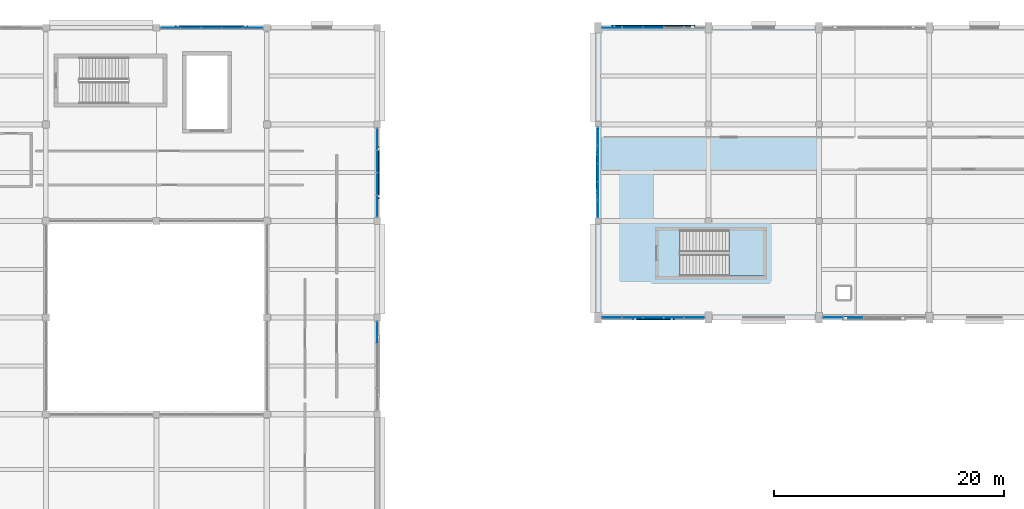
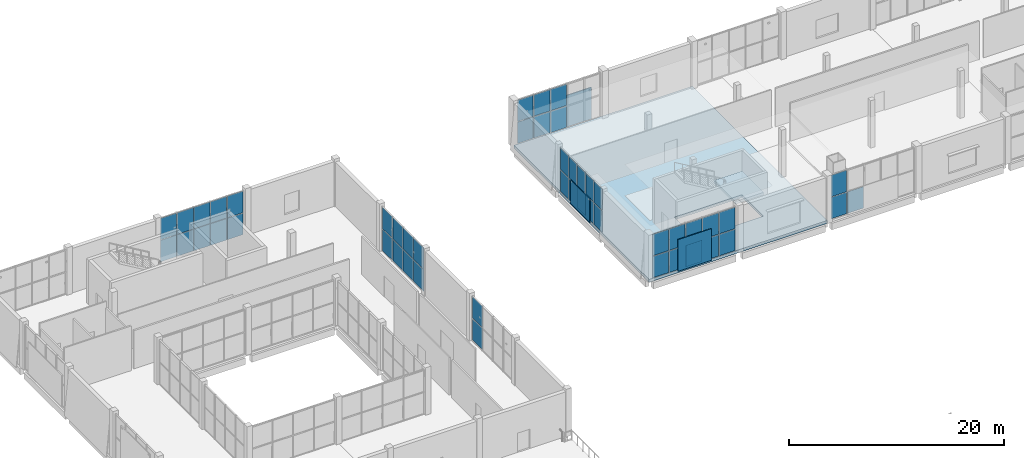
# One storey, part 48 of 83: 54 plates, 2 slabs, 8 elements without a shape of their own.
"""IFC4 building model written with IfcOpenShell, lengths in metres."""

from ifc_helpers import new_model, si_unit, direction, frame, origin, origin_2d, place, context, subcontext, project, spatial, polyline, rectangle, outline, extrude, material, layer, layer_set, type_object, element, aggregate, save


model = new_model("IFC4")

# Units and contexts
model_context = context("Model", 3, precision=1e-05, world=origin(), true_north=direction((0.0, 1.0)))
body_context = subcontext(model_context, "Body", "Model", "MODEL_VIEW")
ifc_project = project(units=[si_unit("LENGTHUNIT", "METRE"), si_unit("AREAUNIT", "SQUARE_METRE"), si_unit("VOLUMEUNIT", "CUBIC_METRE"), si_unit("PLANEANGLEUNIT", "RADIAN"), si_unit("MASSUNIT", "GRAM", prefix="KILO")], contexts=[model_context])

# Site, building, storey
site_placement = place(None, origin())
site = spatial("IfcSite", under=ifc_project, at=site_placement, CompositionType="ELEMENT")
building_placement = place(site_placement, origin())
building = spatial("IfcBuilding", under=site, at=building_placement, Name="Shalvenor Court Art Gallery", CompositionType="ELEMENT")
storey_placement = place(building_placement, frame((0.0, 0.0, 6.0)))
storey = spatial("IfcBuildingStorey", under=building, at=storey_placement, Name="L01", CompositionType="ELEMENT", Elevation=6.0)

# Curtain wall, plates
ifc_material_1 = material(Name="Anodised aluminium and low-iron glass curtain wall", Category="aluminium")
curtain_wall_type_1 = type_object("IfcCurtainWallType", Name="CW-5x2-90-51-111", PredefinedType="USERDEFINED", material=ifc_material_1)
curtain_wall_1_placement = place(storey_placement, origin())
curtain_wall_1 = element("IfcCurtainWall", 1, at=curtain_wall_1_placement, inside=storey, type_object=curtain_wall_type_1, Name="L01 V5 Curtain Wall CW-L01-168", ObjectType="CURTAIN WALL", PredefinedType="USERDEFINED")
ifc_material_2 = material(Name="Low-iron UV-laminated double glazing IGU", Category="glass")
ifc_layer_1 = layer(ifc_material_2, 0.028076171875, Name="Low-iron UV-laminated double glazing IGU")
ifc_layer_set_1 = layer_set([ifc_layer_1], Name="Low-iron UV-laminated double glazing IGU")
plate_type_1 = type_object("IfcPlateType", Name="CWP-01", PredefinedType="CURTAIN_PANEL", material=ifc_layer_set_1)
plate_1_placement = place(storey_placement, frame((20.416259765625, 122.39990234375, 0.06005859375), z_axis=(0.0, 0.0, 1.0), x_axis=(1.0, 0.0, 0.0)))
plate_1 = element("IfcPlate", 2, at=plate_1_placement, type_object=plate_type_1, Name="CW-5x2-90-51-111 panel 1.1", PredefinedType="CURTAIN_PANEL", context=body_context, shape_type="SweptSolid", body=[
    extrude(rectangle(XDim=1.702392578125, YDim=0.028076171875, at=origin_2d()), origin(), (0.0, 0.0, 1.0), 2.449951171875),
])
plate_2_placement = place(storey_placement, frame((20.416259765625, 122.39990234375, 2.56982421875), z_axis=(0.0, 0.0, 1.0), x_axis=(1.0, 0.0, 0.0)))
plate_2 = element("IfcPlate", 3, at=plate_2_placement, type_object=plate_type_1, Name="CW-5x2-90-51-111 panel 1.2", PredefinedType="CURTAIN_PANEL", context=body_context, shape_type="SweptSolid", body=[
    extrude(rectangle(XDim=1.702392578125, YDim=0.028076171875, at=origin_2d()), origin(), (0.0, 0.0, 1.0), 2.449951171875),
])
plate_3_placement = place(storey_placement, frame((22.199951171875, 122.39990234375, 0.06005859375), z_axis=(0.0, 0.0, 1.0), x_axis=(1.0, 0.0, 0.0)))
plate_3 = element("IfcPlate", 4, at=plate_3_placement, type_object=plate_type_1, Name="CW-5x2-90-51-111 panel 2.1", PredefinedType="CURTAIN_PANEL", context=body_context, shape_type="SweptSolid", body=[
    extrude(rectangle(XDim=1.735107421875, YDim=0.028076171875, at=origin_2d()), origin(), (0.0, 0.0, 1.0), 2.449951171875),
])
plate_4_placement = place(storey_placement, frame((22.199951171875, 122.39990234375, 2.56982421875), z_axis=(0.0, 0.0, 1.0), x_axis=(1.0, 0.0, 0.0)))
plate_4 = element("IfcPlate", 5, at=plate_4_placement, type_object=plate_type_1, Name="CW-5x2-90-51-111 panel 2.2", PredefinedType="CURTAIN_PANEL", context=body_context, shape_type="SweptSolid", body=[
    extrude(rectangle(XDim=1.735107421875, YDim=0.028076171875, at=origin_2d()), origin(), (0.0, 0.0, 1.0), 2.449951171875),
])
plate_5_placement = place(storey_placement, frame((24.0, 122.39990234375, 0.06005859375), z_axis=(0.0, 0.0, 1.0), x_axis=(1.0, 0.0, 0.0)))
plate_5 = element("IfcPlate", 6, at=plate_5_placement, type_object=plate_type_1, Name="CW-5x2-90-51-111 panel 3.1", PredefinedType="CURTAIN_PANEL", context=body_context, shape_type="SweptSolid", body=[
    extrude(rectangle(XDim=1.735107421875, YDim=0.028076171875, at=origin_2d()), origin(), (0.0, 0.0, 1.0), 2.449951171875),
])
plate_6_placement = place(storey_placement, frame((24.0, 122.39990234375, 2.56982421875), z_axis=(0.0, 0.0, 1.0), x_axis=(1.0, 0.0, 0.0)))
plate_6 = element("IfcPlate", 7, at=plate_6_placement, type_object=plate_type_1, Name="CW-5x2-90-51-111 panel 3.2", PredefinedType="CURTAIN_PANEL", context=body_context, shape_type="SweptSolid", body=[
    extrude(rectangle(XDim=1.735107421875, YDim=0.028076171875, at=origin_2d()), origin(), (0.0, 0.0, 1.0), 2.449951171875),
])
plate_7_placement = place(storey_placement, frame((25.800048828125, 122.39990234375, 0.06005859375), z_axis=(0.0, 0.0, 1.0), x_axis=(1.0, 0.0, 0.0)))
plate_7 = element("IfcPlate", 8, at=plate_7_placement, type_object=plate_type_1, Name="CW-5x2-90-51-111 panel 4.1", PredefinedType="CURTAIN_PANEL", context=body_context, shape_type="SweptSolid", body=[
    extrude(rectangle(XDim=1.735107421875, YDim=0.028076171875, at=origin_2d()), origin(), (0.0, 0.0, 1.0), 2.449951171875),
])
plate_8_placement = place(storey_placement, frame((25.800048828125, 122.39990234375, 2.56982421875), z_axis=(0.0, 0.0, 1.0), x_axis=(1.0, 0.0, 0.0)))
plate_8 = element("IfcPlate", 9, at=plate_8_placement, type_object=plate_type_1, Name="CW-5x2-90-51-111 panel 4.2", PredefinedType="CURTAIN_PANEL", context=body_context, shape_type="SweptSolid", body=[
    extrude(rectangle(XDim=1.735107421875, YDim=0.028076171875, at=origin_2d()), origin(), (0.0, 0.0, 1.0), 2.449951171875),
])
plate_9_placement = place(storey_placement, frame((27.583740234375, 122.39990234375, 0.06005859375), z_axis=(0.0, 0.0, 1.0), x_axis=(1.0, 0.0, 0.0)))
plate_9 = element("IfcPlate", 10, at=plate_9_placement, type_object=plate_type_1, Name="CW-5x2-90-51-111 panel 5.1", PredefinedType="CURTAIN_PANEL", context=body_context, shape_type="SweptSolid", body=[
    extrude(rectangle(XDim=1.702392578125, YDim=0.028076171875, at=origin_2d()), origin(), (0.0, 0.0, 1.0), 2.449951171875),
])
plate_10_placement = place(storey_placement, frame((27.583740234375, 122.39990234375, 2.56982421875), z_axis=(0.0, 0.0, 1.0), x_axis=(1.0, 0.0, 0.0)))
plate_10 = element("IfcPlate", 11, at=plate_10_placement, type_object=plate_type_1, Name="CW-5x2-90-51-111 panel 5.2", PredefinedType="CURTAIN_PANEL", context=body_context, shape_type="SweptSolid", body=[
    extrude(rectangle(XDim=1.702392578125, YDim=0.028076171875, at=origin_2d()), origin(), (0.0, 0.0, 1.0), 2.449951171875),
])
aggregate(curtain_wall_1, [plate_1, plate_2, plate_3, plate_4, plate_5, plate_6, plate_7, plate_8, plate_9, plate_10])

ifc_material_3 = material(Name="Anodised aluminium and low-iron glass curtain wall", Category="aluminium")
curtain_wall_type_2 = type_object("IfcCurtainWallType", Name="CW-4x2-78-51-221", PredefinedType="USERDEFINED", material=ifc_material_3)
curtain_wall_2_placement = place(storey_placement, origin())
curtain_wall_2 = element("IfcCurtainWall", 12, at=curtain_wall_2_placement, inside=storey, type_object=curtain_wall_type_2, Name="L01 V5 Curtain Wall CW-L01-169", ObjectType="CURTAIN WALL", PredefinedType="USERDEFINED")
plate_11_placement = place(storey_placement, frame((38.39990234375, 112.70751953125, 0.06494140625), z_axis=(0.0, 0.0, 1.0), x_axis=(0.0, -1.0, 0.0)))
plate_11 = element("IfcPlate", 13, at=plate_11_placement, type_object=plate_type_1, Name="CW-4x2-78-51-221 panel 1.1", PredefinedType="CURTAIN_PANEL", context=body_context, shape_type="SweptSolid", body=[
    extrude(rectangle(XDim=1.844970703125, YDim=0.028076171875, at=origin_2d()), origin(), (0.0, 0.0, 1.0), 2.4423828125),
])
plate_12_placement = place(storey_placement, frame((38.39990234375, 112.70751953125, 2.572509765625), z_axis=(0.0, 0.0, 1.0), x_axis=(0.0, -1.0, 0.0)))
plate_12 = element("IfcPlate", 14, at=plate_12_placement, type_object=plate_type_1, Name="CW-4x2-78-51-221 panel 1.2", PredefinedType="CURTAIN_PANEL", context=body_context, shape_type="SweptSolid", body=[
    extrude(rectangle(XDim=1.844970703125, YDim=0.028076171875, at=origin_2d()), origin(), (0.0, 0.0, 1.0), 2.4423828125),
])
plate_13_placement = place(storey_placement, frame((38.39990234375, 110.77490234375, 0.06494140625), z_axis=(0.0, 0.0, 1.0), x_axis=(0.0, -1.0, 0.0)))
plate_13 = element("IfcPlate", 15, at=plate_13_placement, type_object=plate_type_1, Name="CW-4x2-78-51-221 panel 2.1", PredefinedType="CURTAIN_PANEL", context=body_context, shape_type="SweptSolid", body=[
    extrude(rectangle(XDim=1.8798828125, YDim=0.028076171875, at=origin_2d()), origin(), (0.0, 0.0, 1.0), 2.4423828125),
])
plate_14_placement = place(storey_placement, frame((38.39990234375, 110.77490234375, 2.572509765625), z_axis=(0.0, 0.0, 1.0), x_axis=(0.0, -1.0, 0.0)))
plate_14 = element("IfcPlate", 16, at=plate_14_placement, type_object=plate_type_1, Name="CW-4x2-78-51-221 panel 2.2", PredefinedType="CURTAIN_PANEL", context=body_context, shape_type="SweptSolid", body=[
    extrude(rectangle(XDim=1.8798828125, YDim=0.028076171875, at=origin_2d()), origin(), (0.0, 0.0, 1.0), 2.4423828125),
])
plate_15_placement = place(storey_placement, frame((38.39990234375, 108.824951171875, 0.06494140625), z_axis=(0.0, 0.0, 1.0), x_axis=(0.0, -1.0, 0.0)))
plate_15 = element("IfcPlate", 17, at=plate_15_placement, type_object=plate_type_1, Name="CW-4x2-78-51-221 panel 3.1", PredefinedType="CURTAIN_PANEL", context=body_context, shape_type="SweptSolid", body=[
    extrude(rectangle(XDim=1.8798828125, YDim=0.028076171875, at=origin_2d()), origin(), (0.0, 0.0, 1.0), 2.4423828125),
])
plate_16_placement = place(storey_placement, frame((38.39990234375, 108.824951171875, 2.572509765625), z_axis=(0.0, 0.0, 1.0), x_axis=(0.0, -1.0, 0.0)))
plate_16 = element("IfcPlate", 18, at=plate_16_placement, type_object=plate_type_1, Name="CW-4x2-78-51-221 panel 3.2", PredefinedType="CURTAIN_PANEL", context=body_context, shape_type="SweptSolid", body=[
    extrude(rectangle(XDim=1.8798828125, YDim=0.028076171875, at=origin_2d()), origin(), (0.0, 0.0, 1.0), 2.4423828125),
])
plate_17_placement = place(storey_placement, frame((38.39990234375, 106.892578125, 0.06494140625), z_axis=(0.0, 0.0, 1.0), x_axis=(0.0, -1.0, 0.0)))
plate_17 = element("IfcPlate", 19, at=plate_17_placement, type_object=plate_type_1, Name="CW-4x2-78-51-221 panel 4.1", PredefinedType="CURTAIN_PANEL", context=body_context, shape_type="SweptSolid", body=[
    extrude(rectangle(XDim=1.844970703125, YDim=0.028076171875, at=origin_2d()), origin(), (0.0, 0.0, 1.0), 2.4423828125),
])
plate_18_placement = place(storey_placement, frame((38.39990234375, 106.892578125, 2.572509765625), z_axis=(0.0, 0.0, 1.0), x_axis=(0.0, -1.0, 0.0)))
plate_18 = element("IfcPlate", 20, at=plate_18_placement, type_object=plate_type_1, Name="CW-4x2-78-51-221 panel 4.2", PredefinedType="CURTAIN_PANEL", context=body_context, shape_type="SweptSolid", body=[
    extrude(rectangle(XDim=1.844970703125, YDim=0.028076171875, at=origin_2d()), origin(), (0.0, 0.0, 1.0), 2.4423828125),
])
aggregate(curtain_wall_2, [plate_11, plate_12, plate_13, plate_14, plate_15, plate_16, plate_17, plate_18])

ifc_material_4 = material(Name="Anodised aluminium and low-iron glass curtain wall", Category="aluminium")
curtain_wall_type_3 = type_object("IfcCurtainWallType", Name="CW-4x2-78-51-441", PredefinedType="USERDEFINED", material=ifc_material_4)
curtain_wall_3_placement = place(storey_placement, origin())
curtain_wall_3 = element("IfcCurtainWall", 21, at=curtain_wall_3_placement, inside=storey, type_object=curtain_wall_type_3, Name="L01 V5 Curtain Wall CW-L01-170", ObjectType="CURTAIN WALL", PredefinedType="USERDEFINED")
plate_19_placement = place(storey_placement, frame((38.39990234375, 95.90625, 0.070068359375), z_axis=(0.0, 0.0, 1.0), x_axis=(0.0, -1.0, 0.0)))
plate_19 = element("IfcPlate", 22, at=plate_19_placement, type_object=plate_type_1, Name="CW-4x2-78-51-441 panel 1.1", PredefinedType="CURTAIN_PANEL", context=body_context, shape_type="SweptSolid", body=[
    extrude(rectangle(XDim=1.83740234375, YDim=0.028076171875, at=origin_2d()), origin(), (0.0, 0.0, 1.0), 2.43505859375),
])
plate_20_placement = place(storey_placement, frame((38.39990234375, 95.90625, 2.574951171875), z_axis=(0.0, 0.0, 1.0), x_axis=(0.0, -1.0, 0.0)))
plate_20 = element("IfcPlate", 23, at=plate_20_placement, type_object=plate_type_1, Name="CW-4x2-78-51-441 panel 1.2", PredefinedType="CURTAIN_PANEL", context=body_context, shape_type="SweptSolid", body=[
    extrude(rectangle(XDim=1.83740234375, YDim=0.028076171875, at=origin_2d()), origin(), (0.0, 0.0, 1.0), 2.43505859375),
])
aggregate(curtain_wall_3, [plate_19, plate_20])

ifc_material_5 = material(Name="Anodised aluminium and low-iron glass curtain wall", Category="aluminium")
curtain_wall_type_4 = type_object("IfcCurtainWallType", Name="CW-5x2-90-51-442", PredefinedType="USERDEFINED", material=ifc_material_5)
curtain_wall_4_placement = place(storey_placement, origin())
curtain_wall_4 = element("IfcCurtainWall", 24, at=curtain_wall_4_placement, inside=storey, type_object=curtain_wall_type_4, Name="L01 V2 Curtain Wall CW-L01-062", ObjectType="CURTAIN WALL", PredefinedType="USERDEFINED")
ifc_material_6 = material(Name="Low-iron triple-silver solar gallery glazing IGU", Category="glass")
ifc_layer_2 = layer(ifc_material_6, 0.031982421875, Name="Low-iron triple-silver solar gallery glazing IGU")
ifc_layer_set_2 = layer_set([ifc_layer_2], Name="Low-iron triple-silver solar gallery glazing IGU")
plate_type_2 = type_object("IfcPlateType", Name="CWP-02", PredefinedType="CURTAIN_PANEL", material=ifc_layer_set_2)
plate_21_placement = place(storey_placement, frame((58.81884765625, 122.39990234375, 0.070068359375), z_axis=(0.0, 0.0, 1.0), x_axis=(1.0, 0.0, 0.0)))
plate_21 = element("IfcPlate", 25, at=plate_21_placement, type_object=plate_type_2, Name="CW-5x2-90-51-442 panel 1.1", PredefinedType="CURTAIN_PANEL", context=body_context, shape_type="SweptSolid", body=[
    extrude(rectangle(XDim=1.6875, YDim=0.031982421875, at=origin_2d()), origin(), (0.0, 0.0, 1.0), 2.43505859375),
])
plate_22_placement = place(storey_placement, frame((58.81884765625, 122.39990234375, 2.574951171875), z_axis=(0.0, 0.0, 1.0), x_axis=(1.0, 0.0, 0.0)))
plate_22 = element("IfcPlate", 26, at=plate_22_placement, type_object=plate_type_2, Name="CW-5x2-90-51-442 panel 1.2", PredefinedType="CURTAIN_PANEL", context=body_context, shape_type="SweptSolid", body=[
    extrude(rectangle(XDim=1.6875, YDim=0.031982421875, at=origin_2d()), origin(), (0.0, 0.0, 1.0), 2.43505859375),
])
plate_23_placement = place(storey_placement, frame((60.60009765625, 122.39990234375, 0.070068359375), z_axis=(0.0, 0.0, 1.0), x_axis=(1.0, 0.0, 0.0)))
plate_23 = element("IfcPlate", 27, at=plate_23_placement, type_object=plate_type_2, Name="CW-5x2-90-51-442 panel 2.1", PredefinedType="CURTAIN_PANEL", context=body_context, shape_type="SweptSolid", body=[
    extrude(rectangle(XDim=1.72509765625, YDim=0.031982421875, at=origin_2d()), origin(), (0.0, 0.0, 1.0), 2.43505859375),
])
plate_24_placement = place(storey_placement, frame((60.60009765625, 122.39990234375, 2.574951171875), z_axis=(0.0, 0.0, 1.0), x_axis=(1.0, 0.0, 0.0)))
plate_24 = element("IfcPlate", 28, at=plate_24_placement, type_object=plate_type_2, Name="CW-5x2-90-51-442 panel 2.2", PredefinedType="CURTAIN_PANEL", context=body_context, shape_type="SweptSolid", body=[
    extrude(rectangle(XDim=1.72509765625, YDim=0.031982421875, at=origin_2d()), origin(), (0.0, 0.0, 1.0), 2.43505859375),
])
plate_25_placement = place(storey_placement, frame((62.39990234375, 122.39990234375, 0.070068359375), z_axis=(0.0, 0.0, 1.0), x_axis=(1.0, 0.0, 0.0)))
plate_25 = element("IfcPlate", 29, at=plate_25_placement, type_object=plate_type_2, Name="CW-5x2-90-51-442 panel 3.1", PredefinedType="CURTAIN_PANEL", context=body_context, shape_type="SweptSolid", body=[
    extrude(rectangle(XDim=1.72509765625, YDim=0.031982421875, at=origin_2d()), origin(), (0.0, 0.0, 1.0), 2.43505859375),
])
plate_26_placement = place(storey_placement, frame((62.39990234375, 122.39990234375, 2.574951171875), z_axis=(0.0, 0.0, 1.0), x_axis=(1.0, 0.0, 0.0)))
plate_26 = element("IfcPlate", 30, at=plate_26_placement, type_object=plate_type_2, Name="CW-5x2-90-51-442 panel 3.2", PredefinedType="CURTAIN_PANEL", context=body_context, shape_type="SweptSolid", body=[
    extrude(rectangle(XDim=1.72509765625, YDim=0.031982421875, at=origin_2d()), origin(), (0.0, 0.0, 1.0), 2.43505859375),
])
aggregate(curtain_wall_4, [plate_21, plate_22, plate_23, plate_24, plate_25, plate_26])

ifc_material_7 = material(Name="Anodised aluminium and low-iron glass curtain wall", Category="aluminium")
curtain_wall_type_5 = type_object("IfcCurtainWallType", Name="CW-5x2-90-51-212", PredefinedType="USERDEFINED", material=ifc_material_7)
curtain_wall_5_placement = place(storey_placement, origin())
curtain_wall_5 = element("IfcCurtainWall", 31, at=curtain_wall_5_placement, inside=storey, type_object=curtain_wall_type_5, Name="L01 V2 Curtain Wall CW-L01-069", ObjectType="CURTAIN WALL", PredefinedType="USERDEFINED")
plate_27_placement = place(storey_placement, frame((79.800048828125, 97.199951171875, 0.06005859375), z_axis=(0.0, 0.0, 1.0), x_axis=(-1.0, 0.0, 0.0)))
plate_27 = element("IfcPlate", 32, at=plate_27_placement, type_object=plate_type_2, Name="CW-5x2-90-51-212 panel 4.1", PredefinedType="CURTAIN_PANEL", context=body_context, shape_type="SweptSolid", body=[
    extrude(rectangle(XDim=1.72998046875, YDim=0.031982421875, at=origin_2d()), origin(), (0.0, 0.0, 1.0), 2.449951171875),
])
plate_28_placement = place(storey_placement, frame((78.017578125, 97.199951171875, 0.06005859375), z_axis=(0.0, 0.0, 1.0), x_axis=(-1.0, 0.0, 0.0)))
plate_28 = element("IfcPlate", 33, at=plate_28_placement, type_object=plate_type_2, Name="CW-5x2-90-51-212 panel 5.1", PredefinedType="CURTAIN_PANEL", context=body_context, shape_type="SweptSolid", body=[
    extrude(rectangle(XDim=1.695068359375, YDim=0.031982421875, at=origin_2d()), origin(), (0.0, 0.0, 1.0), 2.449951171875),
])
plate_29_placement = place(storey_placement, frame((78.017578125, 97.199951171875, 2.56982421875), z_axis=(0.0, 0.0, 1.0), x_axis=(-1.0, 0.0, 0.0)))
plate_29 = element("IfcPlate", 34, at=plate_29_placement, type_object=plate_type_2, Name="CW-5x2-90-51-212 panel 5.2", PredefinedType="CURTAIN_PANEL", context=body_context, shape_type="SweptSolid", body=[
    extrude(rectangle(XDim=1.695068359375, YDim=0.031982421875, at=origin_2d()), origin(), (0.0, 0.0, 1.0), 2.449951171875),
])
aggregate(curtain_wall_5, [plate_27, plate_28, plate_29])

ifc_material_8 = material(Name="Anodised aluminium and low-iron glass curtain wall", Category="aluminium")
curtain_wall_type_6 = type_object("IfcCurtainWallType", Name="CW-5x2-90-51-422", PredefinedType="USERDEFINED", material=ifc_material_8)
curtain_wall_6_placement = place(storey_placement, origin())
curtain_wall_6 = element("IfcCurtainWall", 35, at=curtain_wall_6_placement, inside=storey, type_object=curtain_wall_type_6, Name="L01 V2 Curtain Wall CW-L01-070", ObjectType="CURTAIN WALL", PredefinedType="USERDEFINED")
plate_30_placement = place(storey_placement, frame((65.981201171875, 97.199951171875, 0.06494140625), z_axis=(0.0, 0.0, 1.0), x_axis=(-1.0, 0.0, 0.0)))
plate_30 = element("IfcPlate", 36, at=plate_30_placement, type_object=plate_type_2, Name="CW-5x2-90-51-422 panel 1.1", PredefinedType="CURTAIN_PANEL", context=body_context, shape_type="SweptSolid", body=[
    extrude(rectangle(XDim=1.6875, YDim=0.031982421875, at=origin_2d()), origin(), (0.0, 0.0, 1.0), 2.4423828125),
])
plate_31_placement = place(storey_placement, frame((65.981201171875, 97.199951171875, 2.572509765625), z_axis=(0.0, 0.0, 1.0), x_axis=(-1.0, 0.0, 0.0)))
plate_31 = element("IfcPlate", 37, at=plate_31_placement, type_object=plate_type_2, Name="CW-5x2-90-51-422 panel 1.2", PredefinedType="CURTAIN_PANEL", context=body_context, shape_type="SweptSolid", body=[
    extrude(rectangle(XDim=1.6875, YDim=0.031982421875, at=origin_2d()), origin(), (0.0, 0.0, 1.0), 2.4423828125),
])
plate_32_placement = place(storey_placement, frame((64.199951171875, 97.199951171875, 0.06494140625), z_axis=(0.0, 0.0, 1.0), x_axis=(-1.0, 0.0, 0.0)))
plate_32 = element("IfcPlate", 38, at=plate_32_placement, type_object=plate_type_2, Name="CW-5x2-90-51-422 panel 2.1", PredefinedType="CURTAIN_PANEL", context=body_context, shape_type="SweptSolid", body=[
    extrude(rectangle(XDim=1.72509765625, YDim=0.031982421875, at=origin_2d()), origin(), (0.0, 0.0, 1.0), 2.4423828125),
])
plate_33_placement = place(storey_placement, frame((64.199951171875, 97.199951171875, 2.572509765625), z_axis=(0.0, 0.0, 1.0), x_axis=(-1.0, 0.0, 0.0)))
plate_33 = element("IfcPlate", 39, at=plate_33_placement, type_object=plate_type_2, Name="CW-5x2-90-51-422 panel 2.2", PredefinedType="CURTAIN_PANEL", context=body_context, shape_type="SweptSolid", body=[
    extrude(rectangle(XDim=1.72509765625, YDim=0.031982421875, at=origin_2d()), origin(), (0.0, 0.0, 1.0), 2.4423828125),
])
plate_34_placement = place(storey_placement, frame((62.39990234375, 97.199951171875, 0.06494140625), z_axis=(0.0, 0.0, 1.0), x_axis=(-1.0, 0.0, 0.0)))
plate_34 = element("IfcPlate", 40, at=plate_34_placement, type_object=plate_type_2, Name="CW-5x2-90-51-422 panel 3.1", PredefinedType="CURTAIN_PANEL", context=body_context, shape_type="SweptSolid", body=[
    extrude(rectangle(XDim=1.72509765625, YDim=0.031982421875, at=origin_2d()), origin(), (0.0, 0.0, 1.0), 2.4423828125),
])
plate_35_placement = place(storey_placement, frame((62.39990234375, 97.199951171875, 2.572509765625), z_axis=(0.0, 0.0, 1.0), x_axis=(-1.0, 0.0, 0.0)))
plate_35 = element("IfcPlate", 41, at=plate_35_placement, type_object=plate_type_2, Name="CW-5x2-90-51-422 panel 3.2", PredefinedType="CURTAIN_PANEL", context=body_context, shape_type="SweptSolid", body=[
    extrude(rectangle(XDim=1.72509765625, YDim=0.031982421875, at=origin_2d()), origin(), (0.0, 0.0, 1.0), 2.4423828125),
])
plate_36_placement = place(storey_placement, frame((60.60009765625, 97.199951171875, 0.06494140625), z_axis=(0.0, 0.0, 1.0), x_axis=(-1.0, 0.0, 0.0)))
plate_36 = element("IfcPlate", 42, at=plate_36_placement, type_object=plate_type_2, Name="CW-5x2-90-51-422 panel 4.1", PredefinedType="CURTAIN_PANEL", context=body_context, shape_type="SweptSolid", body=[
    extrude(rectangle(XDim=1.72509765625, YDim=0.031982421875, at=origin_2d()), origin(), (0.0, 0.0, 1.0), 2.4423828125),
])
plate_37_placement = place(storey_placement, frame((60.60009765625, 97.199951171875, 2.572509765625), z_axis=(0.0, 0.0, 1.0), x_axis=(-1.0, 0.0, 0.0)))
plate_37 = element("IfcPlate", 43, at=plate_37_placement, type_object=plate_type_2, Name="CW-5x2-90-51-422 panel 4.2", PredefinedType="CURTAIN_PANEL", context=body_context, shape_type="SweptSolid", body=[
    extrude(rectangle(XDim=1.72509765625, YDim=0.031982421875, at=origin_2d()), origin(), (0.0, 0.0, 1.0), 2.4423828125),
])
plate_38_placement = place(storey_placement, frame((58.81884765625, 97.199951171875, 0.06494140625), z_axis=(0.0, 0.0, 1.0), x_axis=(-1.0, 0.0, 0.0)))
plate_38 = element("IfcPlate", 44, at=plate_38_placement, type_object=plate_type_2, Name="CW-5x2-90-51-422 panel 5.1", PredefinedType="CURTAIN_PANEL", context=body_context, shape_type="SweptSolid", body=[
    extrude(rectangle(XDim=1.6875, YDim=0.031982421875, at=origin_2d()), origin(), (0.0, 0.0, 1.0), 2.4423828125),
])
plate_39_placement = place(storey_placement, frame((58.81884765625, 97.199951171875, 2.572509765625), z_axis=(0.0, 0.0, 1.0), x_axis=(-1.0, 0.0, 0.0)))
plate_39 = element("IfcPlate", 45, at=plate_39_placement, type_object=plate_type_2, Name="CW-5x2-90-51-422 panel 5.2", PredefinedType="CURTAIN_PANEL", context=body_context, shape_type="SweptSolid", body=[
    extrude(rectangle(XDim=1.6875, YDim=0.031982421875, at=origin_2d()), origin(), (0.0, 0.0, 1.0), 2.4423828125),
])
aggregate(curtain_wall_6, [plate_30, plate_31, plate_32, plate_33, plate_34, plate_35, plate_36, plate_37, plate_38, plate_39])

ifc_material_9 = material(Name="Anodised aluminium and low-iron glass curtain wall", Category="aluminium")
curtain_wall_type_7 = type_object("IfcCurtainWallType", Name="CW-5x2-79-51-642", PredefinedType="USERDEFINED", material=ifc_material_9)
curtain_wall_7_placement = place(storey_placement, origin())
curtain_wall_7 = element("IfcCurtainWall", 46, at=curtain_wall_7_placement, inside=storey, type_object=curtain_wall_type_7, Name="L01 V2 Curtain Wall CW-L01-071", ObjectType="CURTAIN WALL", PredefinedType="USERDEFINED")
plate_40_placement = place(storey_placement, frame((57.60009765625, 106.65380859375, 0.070068359375), z_axis=(0.0, 0.0, 1.0), x_axis=(0.0, 1.0, 0.0)))
plate_40 = element("IfcPlate", 47, at=plate_40_placement, type_object=plate_type_2, Name="CW-5x2-79-51-642 panel 1.1", PredefinedType="CURTAIN_PANEL", context=body_context, shape_type="SweptSolid", body=[
    extrude(rectangle(XDim=1.49755859375, YDim=0.031982421875, at=origin_2d()), origin(), (0.0, 0.0, 1.0), 2.43505859375),
])
plate_41_placement = place(storey_placement, frame((57.60009765625, 106.65380859375, 2.574951171875), z_axis=(0.0, 0.0, 1.0), x_axis=(0.0, 1.0, 0.0)))
plate_41 = element("IfcPlate", 48, at=plate_41_placement, type_object=plate_type_2, Name="CW-5x2-79-51-642 panel 1.2", PredefinedType="CURTAIN_PANEL", context=body_context, shape_type="SweptSolid", body=[
    extrude(rectangle(XDim=1.49755859375, YDim=0.031982421875, at=origin_2d()), origin(), (0.0, 0.0, 1.0), 2.43505859375),
])
plate_42_placement = place(storey_placement, frame((57.60009765625, 108.219970703125, 0.070068359375), z_axis=(0.0, 0.0, 1.0), x_axis=(0.0, 1.0, 0.0)))
plate_42 = element("IfcPlate", 49, at=plate_42_placement, type_object=plate_type_2, Name="CW-5x2-79-51-642 panel 2.1", PredefinedType="CURTAIN_PANEL", context=body_context, shape_type="SweptSolid", body=[
    extrude(rectangle(XDim=1.52490234375, YDim=0.031982421875, at=origin_2d()), origin(), (0.0, 0.0, 1.0), 2.43505859375),
])
plate_43_placement = place(storey_placement, frame((57.60009765625, 108.219970703125, 2.574951171875), z_axis=(0.0, 0.0, 1.0), x_axis=(0.0, 1.0, 0.0)))
plate_43 = element("IfcPlate", 50, at=plate_43_placement, type_object=plate_type_2, Name="CW-5x2-79-51-642 panel 2.2", PredefinedType="CURTAIN_PANEL", context=body_context, shape_type="SweptSolid", body=[
    extrude(rectangle(XDim=1.52490234375, YDim=0.031982421875, at=origin_2d()), origin(), (0.0, 0.0, 1.0), 2.43505859375),
])
plate_44_placement = place(storey_placement, frame((57.60009765625, 109.800048828125, 0.070068359375), z_axis=(0.0, 0.0, 1.0), x_axis=(0.0, 1.0, 0.0)))
plate_44 = element("IfcPlate", 51, at=plate_44_placement, type_object=plate_type_2, Name="CW-5x2-79-51-642 panel 3.1", PredefinedType="CURTAIN_PANEL", context=body_context, shape_type="SweptSolid", body=[
    extrude(rectangle(XDim=1.52490234375, YDim=0.031982421875, at=origin_2d()), origin(), (0.0, 0.0, 1.0), 2.43505859375),
])
plate_45_placement = place(storey_placement, frame((57.60009765625, 109.800048828125, 2.574951171875), z_axis=(0.0, 0.0, 1.0), x_axis=(0.0, 1.0, 0.0)))
plate_45 = element("IfcPlate", 52, at=plate_45_placement, type_object=plate_type_2, Name="CW-5x2-79-51-642 panel 3.2", PredefinedType="CURTAIN_PANEL", context=body_context, shape_type="SweptSolid", body=[
    extrude(rectangle(XDim=1.52490234375, YDim=0.031982421875, at=origin_2d()), origin(), (0.0, 0.0, 1.0), 2.43505859375),
])
plate_46_placement = place(storey_placement, frame((57.60009765625, 111.3798828125, 0.070068359375), z_axis=(0.0, 0.0, 1.0), x_axis=(0.0, 1.0, 0.0)))
plate_46 = element("IfcPlate", 53, at=plate_46_placement, type_object=plate_type_2, Name="CW-5x2-79-51-642 panel 4.1", PredefinedType="CURTAIN_PANEL", context=body_context, shape_type="SweptSolid", body=[
    extrude(rectangle(XDim=1.52490234375, YDim=0.031982421875, at=origin_2d()), origin(), (0.0, 0.0, 1.0), 2.43505859375),
])
plate_47_placement = place(storey_placement, frame((57.60009765625, 111.3798828125, 2.574951171875), z_axis=(0.0, 0.0, 1.0), x_axis=(0.0, 1.0, 0.0)))
plate_47 = element("IfcPlate", 54, at=plate_47_placement, type_object=plate_type_2, Name="CW-5x2-79-51-642 panel 4.2", PredefinedType="CURTAIN_PANEL", context=body_context, shape_type="SweptSolid", body=[
    extrude(rectangle(XDim=1.52490234375, YDim=0.031982421875, at=origin_2d()), origin(), (0.0, 0.0, 1.0), 2.43505859375),
])
plate_48_placement = place(storey_placement, frame((57.60009765625, 112.9462890625, 0.070068359375), z_axis=(0.0, 0.0, 1.0), x_axis=(0.0, 1.0, 0.0)))
plate_48 = element("IfcPlate", 55, at=plate_48_placement, type_object=plate_type_2, Name="CW-5x2-79-51-642 panel 5.1", PredefinedType="CURTAIN_PANEL", context=body_context, shape_type="SweptSolid", body=[
    extrude(rectangle(XDim=1.49755859375, YDim=0.031982421875, at=origin_2d()), origin(), (0.0, 0.0, 1.0), 2.43505859375),
])
plate_49_placement = place(storey_placement, frame((57.60009765625, 112.9462890625, 2.574951171875), z_axis=(0.0, 0.0, 1.0), x_axis=(0.0, 1.0, 0.0)))
plate_49 = element("IfcPlate", 56, at=plate_49_placement, type_object=plate_type_2, Name="CW-5x2-79-51-642 panel 5.2", PredefinedType="CURTAIN_PANEL", context=body_context, shape_type="SweptSolid", body=[
    extrude(rectangle(XDim=1.49755859375, YDim=0.031982421875, at=origin_2d()), origin(), (0.0, 0.0, 1.0), 2.43505859375),
])
aggregate(curtain_wall_7, [plate_40, plate_41, plate_42, plate_43, plate_44, plate_45, plate_46, plate_47, plate_48, plate_49])

# Slab
ifc_material_10 = material(Name="Concrete C40/50", Category="concrete")
ifc_layer_3 = layer(ifc_material_10, 0.320068359375, Name="Concrete C40/50")
ifc_layer_set_3 = layer_set([ifc_layer_3], Name="Concrete C40/50")
slab_type_1 = type_object("IfcSlabType", Name="FS-320", PredefinedType="FLOOR", material=ifc_layer_set_3)
slab_1_placement = place(storey_placement, frame((0.0, 0.0, -0.320068359375)))
element("IfcSlab", 57, at=slab_1_placement, inside=storey, type_object=slab_type_1, Name="L01 V2 Floor Slab 1", PredefinedType="FLOOR", context=body_context, shape_type="SweptSolid", body=[
    extrude(outline(polyline([(57.60009765625, 97.199951171875), (57.60009765625, 122.39990234375), (76.800048828125, 122.39990234375), (76.800048828125, 97.199951171875), (57.60009765625, 97.199951171875)]), holes=[polyline([(64.7109375, 100.800048828125), (72.0, 100.800048828125), (72.0, 104.800048828125), (64.7109375, 104.800048828125), (64.7109375, 100.800048828125)])]), origin(), (0.0, 0.0, 1.0), 0.320068359375),
])

# Plates
ifc_material_11 = material(Name="Perforated pale limestone GRC lattice", Category="masonry")
ifc_layer_4 = layer(ifc_material_11, 0.090087890625, Name="Perforated pale limestone GRC lattice")
ifc_layer_set_4 = layer_set([ifc_layer_4], Name="Perforated pale limestone GRC lattice")
plate_type_3 = type_object("IfcPlateType", Name="SCR-01", PredefinedType="USERDEFINED", material=ifc_layer_set_4)
plate_50_placement = place(storey_placement, frame((62.39990234375, 97.047119140625, 0.0), z_axis=(0.0, 0.0, 1.0), x_axis=(-1.0, 0.0, 0.0)))
element("IfcPlate", 58, at=plate_50_placement, inside=storey, type_object=plate_type_3, Name="L01 V2 Perforated Stone Lattice Screen PLT-SCR-0057", ObjectType="SCREEN", PredefinedType="USERDEFINED", context=body_context, shape_type="SweptSolid", body=[
    extrude(rectangle(XDim=3.60009765625, YDim=0.090087890625, at=origin_2d()), origin(), (0.0, 0.0, 1.0), 3.60009765625),
])
ifc_material_12 = material(Name="Perforated pale limestone GRC lattice", Category="masonry")
ifc_layer_5 = layer(ifc_material_12, 0.090087890625, Name="Perforated pale limestone GRC lattice")
ifc_layer_set_5 = layer_set([ifc_layer_5], Name="Perforated pale limestone GRC lattice")
plate_type_4 = type_object("IfcPlateType", Name="SCR-02", PredefinedType="USERDEFINED", material=ifc_layer_set_5)
plate_51_placement = place(storey_placement, frame((38.54296875, 109.800048828125, 0.0), z_axis=(0.0, 0.0, 1.0), x_axis=(0.0, -1.0, 0.0)))
element("IfcPlate", 59, at=plate_51_placement, inside=storey, type_object=plate_type_4, Name="L01 V5 Perforated Stone Lattice Screen PLT-SCR-0146", ObjectType="SCREEN", PredefinedType="USERDEFINED", context=body_context, shape_type="SweptSolid", body=[
    extrude(rectangle(XDim=4.5, YDim=0.090087890625, at=origin_2d()), origin(), (0.0, 0.0, 1.0), 3.60009765625),
])
ifc_material_13 = material(Name="Perforated pale limestone GRC lattice", Category="masonry")
ifc_layer_6 = layer(ifc_material_13, 0.090087890625, Name="Perforated pale limestone GRC lattice")
ifc_layer_set_6 = layer_set([ifc_layer_6], Name="Perforated pale limestone GRC lattice")
plate_type_5 = type_object("IfcPlateType", Name="SCR-05", PredefinedType="USERDEFINED", material=ifc_layer_set_6)
plate_52_placement = place(storey_placement, frame((24.0, 122.532958984375, 0.0), z_axis=(0.0, 0.0, 1.0), x_axis=(1.0, 0.0, 0.0)))
element("IfcPlate", 60, at=plate_52_placement, inside=storey, type_object=plate_type_5, Name="L01 V5 Perforated Stone Lattice Screen PLT-SCR-0145", ObjectType="SCREEN", PredefinedType="USERDEFINED", context=body_context, shape_type="SweptSolid", body=[
    extrude(rectangle(XDim=6.300048828125, YDim=0.090087890625, at=origin_2d()), origin(), (0.0, 0.0, 1.0), 3.60009765625),
])
ifc_material_14 = material(Name="Perforated pale limestone GRC lattice", Category="masonry")
ifc_layer_7 = layer(ifc_material_14, 0.090087890625, Name="Perforated pale limestone GRC lattice")
ifc_layer_set_7 = layer_set([ifc_layer_7], Name="Perforated pale limestone GRC lattice")
plate_type_6 = type_object("IfcPlateType", Name="SCR-07", PredefinedType="USERDEFINED", material=ifc_layer_set_7)
plate_53_placement = place(storey_placement, frame((62.39990234375, 122.552978515625, 0.0), z_axis=(0.0, 0.0, 1.0), x_axis=(1.0, 0.0, 0.0)))
element("IfcPlate", 61, at=plate_53_placement, inside=storey, type_object=plate_type_6, Name="L01 V2 Perforated Stone Lattice Screen PLT-SCR-0049", ObjectType="SCREEN", PredefinedType="USERDEFINED", context=body_context, shape_type="SweptSolid", body=[
    extrude(rectangle(XDim=7.199951171875, YDim=0.090087890625, at=origin_2d()), origin(), (0.0, 0.0, 1.0), 3.60009765625),
])
ifc_material_15 = material(Name="Perforated pale limestone GRC lattice", Category="masonry")
ifc_layer_8 = layer(ifc_material_15, 0.090087890625, Name="Perforated pale limestone GRC lattice")
ifc_layer_set_8 = layer_set([ifc_layer_8], Name="Perforated pale limestone GRC lattice")
plate_type_7 = type_object("IfcPlateType", Name="SCR-10", PredefinedType="USERDEFINED", material=ifc_layer_set_8)
plate_54_placement = place(storey_placement, frame((57.487060546875, 109.800048828125, 0.0), z_axis=(0.0, 0.0, 1.0), x_axis=(0.0, 1.0, 0.0)))
element("IfcPlate", 62, at=plate_54_placement, inside=storey, type_object=plate_type_7, Name="L01 V2 Perforated Stone Lattice Screen PLT-SCR-0058", ObjectType="SCREEN", PredefinedType="USERDEFINED", context=body_context, shape_type="SweptSolid", body=[
    extrude(rectangle(XDim=3.60009765625, YDim=0.090087890625, at=origin_2d()), origin(), (0.0, 0.0, 1.0), 2.699951171875),
])

# Stair, slab
ifc_material_16 = material(Name="Concrete C40/50", Category="concrete")
stair_type = type_object("IfcStairType", Name="ST-DL-32R-1900", PredefinedType="HALF_TURN_STAIR", material=ifc_material_16)
stair_placement = place(storey_placement, origin())
stair = element("IfcStair", 63, at=stair_placement, inside=storey, type_object=stair_type, Name="L01 Core Dogleg Stair ST-09", PredefinedType="HALF_TURN_STAIR")
ifc_material_17 = material(Name="Concrete C40/50", Category="concrete")
ifc_layer_9 = layer(ifc_material_17, 0.300048828125, Name="Concrete C40/50")
ifc_layer_set_9 = layer_set([ifc_layer_9], Name="Concrete C40/50")
slab_type_2 = type_object("IfcSlabType", Name="SLD-300", PredefinedType="LANDING", material=ifc_layer_set_9)
slab_2_placement = place(storey_placement, frame((0.0, 0.0, 2.39990234375)))
slab_2 = element("IfcSlab", 64, at=slab_2_placement, type_object=slab_type_2, Name="ST-DL-32R-1900 landing 1", PredefinedType="LANDING", context=body_context, shape_type="SweptSolid", body=[
    extrude(outline(polyline([(68.97509765625, 100.800048828125), (72.0, 100.800048828125), (72.0, 104.800048828125), (68.97509765625, 104.800048828125), (68.97509765625, 100.800048828125)])), origin(), (0.0, 0.0, 1.0), 0.300048828125),
])
aggregate(stair, [slab_2])

save(model, "model.ifc")
